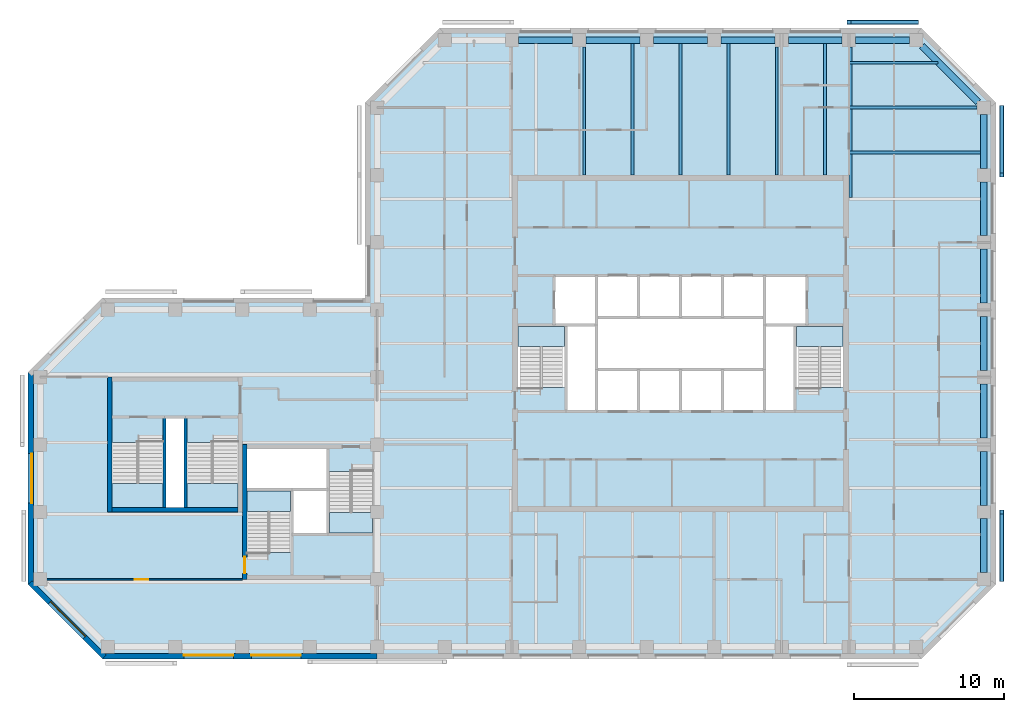
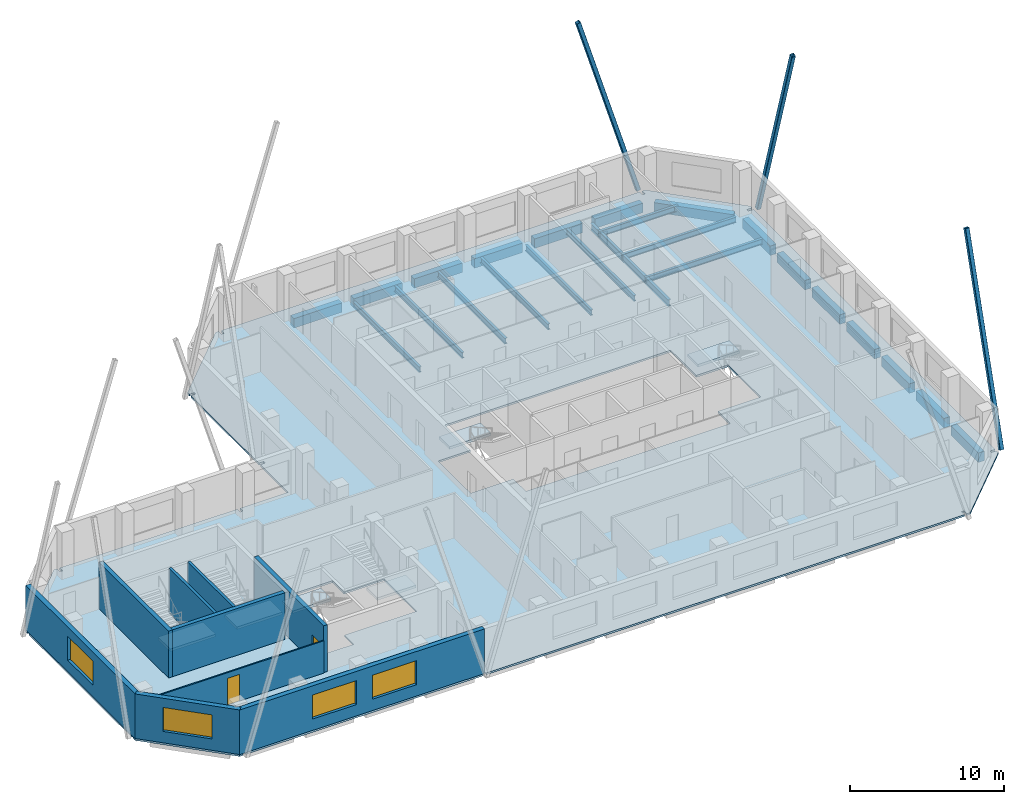
# One storey, part 2 of 9: 24 beams, 9 walls, 7 slabs, 4 windows, 3 members, 2 doors, 6 openings, 6 elements without a shape of their own.
"""IFC4 building model written with IfcOpenShell, lengths in metres."""

from ifc_helpers import new_model, si_unit, direction, frame, frame_2d, origin, origin_2d, place, context, subcontext, project, spatial, polyline, rectangle, hollow_rectangle, i_section, outline, extrude, material, layer, layer_set, constituent, constituent_set, material_profile, profile_set, type_object, element, fill, aggregate, save


model = new_model("IFC4")

# Units and contexts
model_context = context("Model", 3, precision=1e-05, world=origin(), true_north=direction((0.0, 1.0)))
body_context = subcontext(model_context, "Body", "Model", "MODEL_VIEW")
ifc_project = project(units=[si_unit("LENGTHUNIT", "METRE"), si_unit("AREAUNIT", "SQUARE_METRE"), si_unit("VOLUMEUNIT", "CUBIC_METRE"), si_unit("PLANEANGLEUNIT", "RADIAN"), si_unit("MASSUNIT", "GRAM", prefix="KILO")], contexts=[model_context])

# Site, building, storey
site_placement = place(None, origin())
site = spatial("IfcSite", under=ifc_project, at=site_placement, CompositionType="ELEMENT")
building_placement = place(site_placement, origin())
building = spatial("IfcBuilding", under=site, at=building_placement, Name="Quoin Convention Tower", CompositionType="ELEMENT")
storey_placement = place(building_placement, frame((0.0, 0.0, 219.300048828125)))
storey = spatial("IfcBuildingStorey", under=building, at=storey_placement, Name="L57", CompositionType="ELEMENT", Elevation=219.300048828125)

# Beams
ifc_material_1 = material(Name="Steel Grade 300", Category="steel")
ifc_material_profile_1 = material_profile(ifc_material_1, i_section(OverallWidth=0.18994140625, OverallDepth=0.4541015625, WebThickness=0.008544921875, FlangeThickness=0.0126953125, FilletRadius=0.011474609375, at=origin_2d()), Name="460UB67.1")
ifc_profile_set_1 = profile_set([ifc_material_profile_1], Name="Steel Grade 300")
beam_type_1 = type_object("IfcBeamType", Name="460UB67.1", PredefinedType="BEAM", material=ifc_profile_set_1)
beam_1_placement = place(storey_placement, frame((49.8212890625, 72.0, -0.376953125), z_axis=(0.0, 1.0, 0.0), x_axis=(-1.0, 0.0, 0.0)))
element("IfcBeam", 1, at=beam_1_placement, inside=storey, type_object=beam_type_1, Name="bm-L57-T1N1", PredefinedType="BEAM", context=body_context, shape_type="SweptSolid", body=[
    extrude(i_section(OverallWidth=0.18994140625, OverallDepth=0.4541015625, WebThickness=0.008544921875, FlangeThickness=0.0126953125, FilletRadius=0.011474609375, at=origin_2d()), origin(), (0.0, 0.0, 1.0), 8.550048828125),
])
for number, where, z_axis, x_axis, name in (
    (2, (53.03564453125, 72.0, -0.376953125), (0.0, 1.0, 0.0), (-1.0, 0.0, 0.0), "bm-L57-T1N2"),
    (3, (56.25, 72.0, -0.376953125), (0.0, 1.0, 0.0), (-1.0, 0.0, 0.0), "bm-L57-T1N3"),
    (4, (59.46435546875, 72.0, -0.376953125), (0.0, 1.0, 0.0), (-1.0, 0.0, 0.0), "bm-L57-T1N4"),
):
    element("IfcBeam", number, at=place(storey_placement, frame(where, z_axis=z_axis, x_axis=x_axis)), inside=storey, type_object=beam_type_1, Name=name, PredefinedType="BEAM", context=body_context, shape_type="SweptSolid", body=[
        extrude(i_section(OverallWidth=0.18994140625, OverallDepth=0.4541015625, WebThickness=0.008544921875, FlangeThickness=0.0126953125, FilletRadius=0.011474609375, at=origin_2d()), origin(), (0.0, 0.0, 1.0), 8.77490234375),
    ])
beam_2_placement = place(storey_placement, frame((62.6787109375, 72.0, -0.376953125), z_axis=(0.0, 1.0, 0.0), x_axis=(-1.0, 0.0, 0.0)))
element("IfcBeam", 5, at=beam_2_placement, inside=storey, type_object=beam_type_1, Name="bm-L57-T1N5", PredefinedType="BEAM", context=body_context, shape_type="SweptSolid", body=[
    extrude(i_section(OverallWidth=0.18994140625, OverallDepth=0.4541015625, WebThickness=0.008544921875, FlangeThickness=0.0126953125, FilletRadius=0.011474609375, at=origin_2d()), origin(), (0.0, 0.0, 1.0), 8.550048828125),
])
beam_3_placement = place(storey_placement, frame((65.892822265625, 72.0, -0.376953125), z_axis=(0.0, 1.0, 0.0), x_axis=(-1.0, 0.0, 0.0)))
element("IfcBeam", 6, at=beam_3_placement, inside=storey, type_object=beam_type_1, Name="bm-L57-T1N6", PredefinedType="BEAM", context=body_context, shape_type="SweptSolid", body=[
    extrude(i_section(OverallWidth=0.18994140625, OverallDepth=0.4541015625, WebThickness=0.008544921875, FlangeThickness=0.0126953125, FilletRadius=0.011474609375, at=origin_2d()), origin(), (0.0, 0.0, 1.0), 8.77490234375),
])
beam_4_placement = place(storey_placement, frame((67.5, 79.5, -0.376953125), z_axis=(1.0, 0.0, 0.0), x_axis=(0.0, 1.0, 0.0)))
element("IfcBeam", 7, at=beam_4_placement, inside=storey, type_object=beam_type_1, Name="bm-L57-T1NE0", PredefinedType="BEAM", context=body_context, shape_type="SweptSolid", body=[
    extrude(i_section(OverallWidth=0.18994140625, OverallDepth=0.4541015625, WebThickness=0.008544921875, FlangeThickness=0.0126953125, FilletRadius=0.011474609375, at=origin_2d()), origin(), (0.0, 0.0, 1.0), 5.935791015625),
])
beam_5_placement = place(storey_placement, frame((67.5, 76.5, -0.376953125), z_axis=(1.0, 0.0, 0.0), x_axis=(0.0, 1.0, 0.0)))
element("IfcBeam", 8, at=beam_5_placement, inside=storey, type_object=beam_type_1, Name="bm-L57-T1NE1", PredefinedType="BEAM", context=body_context, shape_type="SweptSolid", body=[
    extrude(i_section(OverallWidth=0.18994140625, OverallDepth=0.4541015625, WebThickness=0.008544921875, FlangeThickness=0.0126953125, FilletRadius=0.011474609375, at=origin_2d()), origin(), (0.0, 0.0, 1.0), 8.550048828125),
])
beam_6_placement = place(storey_placement, frame((67.5, 73.5, -0.376953125), z_axis=(1.0, 0.0, 0.0), x_axis=(0.0, 1.0, 0.0)))
element("IfcBeam", 9, at=beam_6_placement, inside=storey, type_object=beam_type_1, Name="bm-L57-T1NE2", PredefinedType="BEAM", context=body_context, shape_type="SweptSolid", body=[
    extrude(i_section(OverallWidth=0.18994140625, OverallDepth=0.4541015625, WebThickness=0.008544921875, FlangeThickness=0.0126953125, FilletRadius=0.011474609375, at=origin_2d()), origin(), (0.0, 0.0, 1.0), 8.77490234375),
])
ifc_material_profile_2 = material_profile(ifc_material_1, i_section(OverallWidth=0.208984375, OverallDepth=0.528076171875, WebThickness=0.009521484375, FlangeThickness=0.01318359375, FilletRadius=0.013916015625, at=origin_2d()), Name="530UB82.0")
ifc_profile_set_2 = profile_set([ifc_material_profile_2], Name="Steel Grade 300")
beam_type_2 = type_object("IfcBeamType", Name="530UB82.0", PredefinedType="BEAM", material=ifc_profile_set_2)
beam_7_placement = place(storey_placement, frame((67.595458984375, 80.550048828125, -0.4140625), z_axis=(0.0, -1.0, 0.0), x_axis=(1.0, 0.0, 0.0)))
element("IfcBeam", 10, at=beam_7_placement, inside=storey, type_object=beam_type_2, Name="gir-L57-T1NE", PredefinedType="BEAM", context=body_context, shape_type="SweptSolid", body=[
    extrude(i_section(OverallWidth=0.208984375, OverallDepth=0.528076171875, WebThickness=0.009521484375, FlangeThickness=0.01318359375, FilletRadius=0.013916015625, at=origin_2d()), origin(), (0.0, 0.0, 1.0), 10.062255859375),
])

# Members
ifc_material_2 = material(Name="Steel C450L0", Category="steel")
ifc_material_profile_3 = material_profile(ifc_material_2, hollow_rectangle(XDim=0.300048828125, YDim=0.300048828125, WallThickness=0.012451171875, InnerFilletRadius=0.018798828125, OuterFilletRadius=0.03125, at=origin_2d()), Name="300x300x12.5SHS")
ifc_profile_set_3 = profile_set([ifc_material_profile_3], Name="Steel C450L0")
member_type = type_object("IfcMemberType", Name="Exposed brace 300x300x12.5SHS", PredefinedType="BRACE", material=ifc_profile_set_3)
for number, where, z_axis, x_axis, name in (
    (11, (72.0, 82.199951171875, -0.074951171875), (-0.290907879885, 0.0, 0.956751067635), (0.0, -1.0, 0.0), "brc-L57-72000_81000-67500_81000"),
    (12, (77.699951171875, 45.0, -0.074951171875), (0.0, 0.290907879885, 0.956751067635), (-1.0, 0.0, 0.0), "brc-L57-76500_45000-76500_49500"),
    (13, (77.699951171875, 76.5, -0.074951171875), (0.0, -0.290907879885, 0.956751067635), (1.0, 0.0, 0.0), "brc-L57-76500_72000-76500_76500"),
):
    element("IfcMember", number, at=place(storey_placement, frame(where, z_axis=z_axis, x_axis=x_axis)), inside=storey, type_object=member_type, Name=name, PredefinedType="BRACE", context=body_context, shape_type="SweptSolid", body=[
        extrude(hollow_rectangle(XDim=0.300048828125, YDim=0.300048828125, WallThickness=0.012451171875, InnerFilletRadius=0.018798828125, OuterFilletRadius=0.03125, at=origin_2d()), origin(), (0.0, 0.0, 1.0), 15.46875),
    ])

# Beams
ifc_material_3 = material(Name="Concrete C50", Category="concrete")
ifc_material_profile_4 = material_profile(ifc_material_3, rectangle(XDim=0.449951171875, YDim=0.75, at=origin_2d()), Name="RC 450x750")
ifc_profile_set_4 = profile_set([ifc_material_profile_4], Name="Concrete C50")
beam_type_3 = type_object("IfcBeamType", Name="RC 450x750 C50", PredefinedType="SPANDREL", material=ifc_profile_set_4)
for number, where, z_axis, x_axis, name in (
    (14, (76.5, 45.449951171875, -0.525146484375), (0.0, 1.0, 0.0), (-1.0, 0.0, 0.0), "spd-L57-76500_45000-76500_49500"),
    (15, (76.5, 49.949951171875, -0.525146484375), (0.0, 1.0, 0.0), (-1.0, 0.0, 0.0), "spd-L57-76500_49500-76500_54000"),
    (16, (76.5, 54.449951171875, -0.525146484375), (0.0, 1.0, 0.0), (-1.0, 0.0, 0.0), "spd-L57-76500_54000-76500_58500"),
    (17, (76.5, 58.949951171875, -0.525146484375), (0.0, 1.0, 0.0), (-1.0, 0.0, 0.0), "spd-L57-76500_58500-76500_63000"),
    (18, (76.5, 63.449951171875, -0.525146484375), (0.0, 1.0, 0.0), (-1.0, 0.0, 0.0), "spd-L57-76500_63000-76500_67500"),
    (19, (76.5, 67.949951171875, -0.525146484375), (0.0, 1.0, 0.0), (-1.0, 0.0, 0.0), "spd-L57-76500_67500-76500_72000"),
    (20, (76.5, 72.449951171875, -0.525146484375), (0.0, 1.0, 0.0), (-1.0, 0.0, 0.0), "spd-L57-76500_72000-76500_76500"),
):
    element("IfcBeam", number, at=place(storey_placement, frame(where, z_axis=z_axis, x_axis=x_axis)), inside=storey, type_object=beam_type_3, Name=name, PredefinedType="SPANDREL", context=body_context, shape_type="SweptSolid", body=[
        extrude(rectangle(XDim=0.449951171875, YDim=0.75, at=origin_2d()), origin(), (0.0, 0.0, 1.0), 3.60009765625),
    ])
beam_8_placement = place(storey_placement, frame((76.135009765625, 76.864990234375, -0.525146484375), z_axis=(-0.707106781187, 0.707106781187, 0.0), x_axis=(-0.707106781187, -0.707106781187, 0.0)))
element("IfcBeam", 21, at=beam_8_placement, inside=storey, type_object=beam_type_3, Name="spd-L57-76500_76500-72000_81000", PredefinedType="SPANDREL", context=body_context, shape_type="SweptSolid", body=[
    extrude(rectangle(XDim=0.449951171875, YDim=0.75, at=origin_2d()), origin(), (0.0, 0.0, 1.0), 5.33154296875),
])
for number, where, z_axis, x_axis, name in (
    (22, (71.550048828125, 81.0, -0.525146484375), (-1.0, 0.0, 0.0), (0.0, -1.0, 0.0), "spd-L57-72000_81000-67500_81000"),
    (23, (67.050048828125, 81.0, -0.525146484375), (-1.0, 0.0, 0.0), (0.0, -1.0, 0.0), "spd-L57-67500_81000-63000_81000"),
    (24, (62.550048828125, 81.0, -0.525146484375), (-1.0, 0.0, 0.0), (0.0, -1.0, 0.0), "spd-L57-63000_81000-58500_81000"),
    (25, (58.050048828125, 81.0, -0.525146484375), (-1.0, 0.0, 0.0), (0.0, -1.0, 0.0), "spd-L57-58500_81000-54000_81000"),
    (26, (53.550048828125, 81.0, -0.525146484375), (-1.0, 0.0, 0.0), (0.0, -1.0, 0.0), "spd-L57-54000_81000-49500_81000"),
    (27, (49.050048828125, 81.0, -0.525146484375), (-1.0, 0.0, 0.0), (0.0, -1.0, 0.0), "spd-L57-49500_81000-45000_81000"),
):
    element("IfcBeam", number, at=place(storey_placement, frame(where, z_axis=z_axis, x_axis=x_axis)), inside=storey, type_object=beam_type_3, Name=name, PredefinedType="SPANDREL", context=body_context, shape_type="SweptSolid", body=[
        extrude(rectangle(XDim=0.449951171875, YDim=0.75, at=origin_2d()), origin(), (0.0, 0.0, 1.0), 3.60009765625),
    ])

# Slab
ifc_material_4 = material(Name="Concrete C40", Category="concrete")
ifc_layer_1 = layer(ifc_material_4, 0.14990234375)
ifc_layer_set_1 = layer_set([ifc_layer_1], Name="Concrete C40")
slab_type_1 = type_object("IfcSlabType", Name="COMPOSITE SLAB 150 C40", PredefinedType="FLOOR", material=ifc_layer_set_1)
slab_1_placement = place(storey_placement, frame((0.0, 0.0, -0.150146484375)))
element("IfcSlab", 28, at=slab_1_placement, inside=storey, type_object=slab_type_1, Name="slb-L57", PredefinedType="FLOOR", context=body_context, shape_type="SweptSolid", body=[
    extrude(outline(polyline([(12.699951171875, 44.668701171875), (12.699951171875, 44.905029296875), (13.070068359375, 44.905029296875), (13.070068359375, 45.094970703125), (12.699951171875, 45.094970703125), (12.699951171875, 58.405029296875), (13.070068359375, 58.405029296875), (13.070068359375, 58.594970703125), (12.699951171875, 58.594970703125), (12.699951171875, 58.831298828125), (17.668701171875, 63.800048828125), (17.905029296875, 63.800048828125), (17.905029296875, 63.429931640625), (18.094970703125, 63.429931640625), (18.094970703125, 63.800048828125), (31.405029296875, 63.800048828125), (31.405029296875, 63.429931640625), (31.594970703125, 63.429931640625), (31.594970703125, 63.800048828125), (35.199951171875, 63.800048828125), (35.199951171875, 67.405029296875), (35.570068359375, 67.405029296875), (35.570068359375, 67.594970703125), (35.199951171875, 67.594970703125), (35.199951171875, 76.405029296875), (35.570068359375, 76.405029296875), (35.570068359375, 76.594970703125), (35.199951171875, 76.594970703125), (35.199951171875, 76.831298828125), (40.168701171875, 81.800048828125), (40.405029296875, 81.800048828125), (40.405029296875, 81.429931640625), (40.594970703125, 81.429931640625), (40.594970703125, 81.800048828125), (71.905029296875, 81.800048828125), (71.905029296875, 81.429931640625), (72.094970703125, 81.429931640625), (72.094970703125, 81.800048828125), (72.331298828125, 81.800048828125), (77.300048828125, 76.831298828125), (77.300048828125, 76.594970703125), (76.929931640625, 76.594970703125), (76.929931640625, 76.405029296875), (77.300048828125, 76.405029296875), (77.300048828125, 45.094970703125), (76.929931640625, 45.094970703125), (76.929931640625, 44.905029296875), (77.300048828125, 44.905029296875), (77.300048828125, 44.668701171875), (72.331298828125, 39.699951171875), (72.094970703125, 39.699951171875), (72.094970703125, 40.070068359375), (71.905029296875, 40.070068359375), (71.905029296875, 39.699951171875), (36.094970703125, 39.699951171875), (36.094970703125, 40.070068359375), (35.905029296875, 40.070068359375), (35.905029296875, 39.699951171875), (18.094970703125, 39.699951171875), (18.094970703125, 40.070068359375), (17.905029296875, 40.070068359375), (17.905029296875, 39.699951171875), (17.668701171875, 39.699951171875), (12.699951171875, 44.668701171875)]), holes=[polyline([(27.300048828125, 46.800537109375), (30.300048828125, 46.800537109375), (30.300048828125, 48.0), (32.699951171875, 48.0), (35.699951171875, 48.0), (35.699951171875, 52.199462890625), (32.699951171875, 52.199462890625), (32.699951171875, 53.699951171875), (27.300048828125, 53.699951171875), (27.300048828125, 51.0), (27.300048828125, 46.800537109375)]), polyline([(21.800048828125, 49.800048828125), (23.199951171875, 49.800048828125), (26.699951171875, 49.800048828125), (26.699951171875, 54.1494140625), (23.199951171875, 54.1494140625), (23.199951171875, 55.85009765625), (21.800048828125, 55.85009765625), (21.800048828125, 54.1494140625), (18.300048828125, 54.1494140625), (18.300048828125, 49.800048828125), (21.800048828125, 49.800048828125)]), polyline([(50.64990234375, 56.199951171875), (53.449951171875, 56.199951171875), (56.25, 56.199951171875), (59.050048828125, 56.199951171875), (61.85009765625, 56.199951171875), (63.89990234375, 56.199951171875), (63.89990234375, 57.800537109375), (67.10009765625, 57.800537109375), (67.10009765625, 62.0), (64.699951171875, 62.0), (64.699951171875, 65.300048828125), (61.85009765625, 65.300048828125), (59.050048828125, 65.300048828125), (56.25, 65.300048828125), (53.449951171875, 65.300048828125), (50.64990234375, 65.300048828125), (47.800048828125, 65.300048828125), (47.800048828125, 62.0), (45.39990234375, 62.0), (45.39990234375, 57.800537109375), (48.60009765625, 57.800537109375), (48.60009765625, 56.199951171875), (50.64990234375, 56.199951171875)])]), origin(), (0.0, 0.0, 1.0), 0.150146484375),
])

# Stair, slab
stair_type_1 = type_object("IfcStairType", Name="Exit stair two-flight 1350", PredefinedType="HALF_TURN_STAIR", material=ifc_material_4)
stair_1_placement = place(storey_placement, origin())
stair_1 = element("IfcStair", 29, at=stair_1_placement, inside=storey, type_object=stair_type_1, Name="SD1 L57", PredefinedType="HALF_TURN_STAIR")
ifc_layer_2 = layer(ifc_material_4, 0.199951171875)
ifc_layer_set_2 = layer_set([ifc_layer_2], Name="Concrete C40")
slab_type_2 = type_object("IfcSlabType", Name="Stair landing 200", PredefinedType="LANDING", material=ifc_layer_set_2)
slab_2_placement = place(storey_placement, frame((0.0, 0.0, 1.792236328125)))
slab_2 = element("IfcSlab", 30, at=slab_2_placement, type_object=slab_type_2, Name="ST1 landing 1", PredefinedType="LANDING", context=body_context, shape_type="SweptSolid", body=[
    extrude(outline(polyline([(45.39990234375, 60.550048828125), (48.5, 60.550048828125), (48.5, 61.89990234375), (45.39990234375, 61.89990234375), (45.39990234375, 60.550048828125)])), origin(), (0.0, 0.0, 1.0), 0.199951171875),
])
aggregate(stair_1, [slab_2])

stair_2_placement = place(storey_placement, origin())
stair_2 = element("IfcStair", 31, at=stair_2_placement, inside=storey, type_object=stair_type_1, Name="SD2 L57", PredefinedType="HALF_TURN_STAIR")
slab_3_placement = place(storey_placement, frame((0.0, 0.0, 1.792236328125)))
slab_3 = element("IfcSlab", 32, at=slab_3_placement, type_object=slab_type_2, Name="ST2 landing 1", PredefinedType="LANDING", context=body_context, shape_type="SweptSolid", body=[
    extrude(outline(polyline([(64.0, 60.550048828125), (67.10009765625, 60.550048828125), (67.10009765625, 61.89990234375), (64.0, 61.89990234375), (64.0, 60.550048828125)])), origin(), (0.0, 0.0, 1.0), 0.199951171875),
])
aggregate(stair_2, [slab_3])

stair_3_placement = place(storey_placement, origin())
stair_3 = element("IfcStair", 33, at=stair_3_placement, inside=storey, type_object=stair_type_1, Name="SD3 L57", PredefinedType="HALF_TURN_STAIR")
slab_4_placement = place(storey_placement, frame((0.0, 0.0, 1.792236328125)))
slab_4 = element("IfcSlab", 34, at=slab_4_placement, type_object=slab_type_2, Name="ST3 landing 1", PredefinedType="LANDING", context=body_context, shape_type="SweptSolid", body=[
    extrude(outline(polyline([(27.300048828125, 49.550048828125), (30.199951171875, 49.550048828125), (30.199951171875, 50.89990234375), (27.300048828125, 50.89990234375), (27.300048828125, 49.550048828125)])), origin(), (0.0, 0.0, 1.0), 0.199951171875),
])
aggregate(stair_3, [slab_4])

stair_4_placement = place(storey_placement, origin())
stair_4 = element("IfcStair", 35, at=stair_4_placement, inside=storey, type_object=stair_type_1, Name="SD4 L57", PredefinedType="HALF_TURN_STAIR")
slab_5_placement = place(storey_placement, frame((0.0, 0.0, 1.792236328125)))
slab_5 = element("IfcSlab", 36, at=slab_5_placement, type_object=slab_type_2, Name="ST4 landing 1", PredefinedType="LANDING", context=body_context, shape_type="SweptSolid", body=[
    extrude(outline(polyline([(35.699951171875, 49.449951171875), (32.800048828125, 49.449951171875), (32.800048828125, 48.10009765625), (35.699951171875, 48.10009765625), (35.699951171875, 49.449951171875)])), origin(), (0.0, 0.0, 1.0), 0.199951171875),
])
aggregate(stair_4, [slab_5])

stair_type_2 = type_object("IfcStairType", Name="Exit stair two-flight 1600", PredefinedType="HALF_TURN_STAIR", material=ifc_material_4)
stair_5_placement = place(storey_placement, origin())
stair_5 = element("IfcStair", 37, at=stair_5_placement, inside=storey, type_object=stair_type_2, Name="SD11 L57", PredefinedType="HALF_TURN_STAIR")
slab_6_placement = place(storey_placement, frame((0.0, 0.0, 1.792236328125)))
slab_6 = element("IfcSlab", 38, at=slab_6_placement, type_object=slab_type_2, Name="ST11 landing 1", PredefinedType="LANDING", context=body_context, shape_type="SweptSolid", body=[
    extrude(outline(polyline([(21.699951171875, 51.39990234375), (18.300048828125, 51.39990234375), (18.300048828125, 49.800048828125), (21.699951171875, 49.800048828125), (21.699951171875, 51.39990234375)])), origin(), (0.0, 0.0, 1.0), 0.199951171875),
])
aggregate(stair_5, [slab_6])

stair_6_placement = place(storey_placement, origin())
stair_6 = element("IfcStair", 39, at=stair_6_placement, inside=storey, type_object=stair_type_2, Name="SD12 L57", PredefinedType="HALF_TURN_STAIR")
slab_7_placement = place(storey_placement, frame((0.0, 0.0, 1.792236328125)))
slab_7 = element("IfcSlab", 40, at=slab_7_placement, type_object=slab_type_2, Name="ST12 landing 1", PredefinedType="LANDING", context=body_context, shape_type="SweptSolid", body=[
    extrude(outline(polyline([(26.699951171875, 51.39990234375), (23.300048828125, 51.39990234375), (23.300048828125, 49.800048828125), (26.699951171875, 49.800048828125), (26.699951171875, 51.39990234375)])), origin(), (0.0, 0.0, 1.0), 0.199951171875),
])
aggregate(stair_6, [slab_7])

# Wall, opening, window
ifc_material_5 = material(Name="Brick masonry", Category="masonry")
ifc_layer_3 = layer(ifc_material_5, 0.35009765625)
ifc_layer_set_3 = layer_set([ifc_layer_3], Name="Brick masonry")
wall_type_1 = type_object("IfcWallType", Name="Brick facade wall", PredefinedType="STANDARD", material=ifc_layer_set_3)
wall_1_placement = place(storey_placement, frame((12.875, 58.831298828125, 0.0), z_axis=(0.0, 0.0, 1.0), x_axis=(0.0, -1.0, 0.0)))
wall_1 = element("IfcWall", 41, at=wall_1_placement, inside=storey, type_object=wall_type_1, Name="fw-L57-13500_58500", PredefinedType="STANDARD", context=body_context, shape_type="SweptSolid", body=[
    extrude(rectangle(XDim=14.16259765625, YDim=0.35009765625, at=frame_2d((7.081298828125, 0.0))), origin(), (0.0, 0.0, 1.0), 3.52490234375),
])
opening_1_placement = place(wall_1_placement, frame((5.431396484375, 0.0, 0.89990234375)))
opening_1 = element("IfcOpeningElement", 42, at=opening_1_placement, cuts=wall_1, Name="Opening W-02", PredefinedType="OPENING", context=body_context, shape_type="SweptSolid", body=[
    extrude(rectangle(XDim=3.300048828125, YDim=1.89990234375, at=frame_2d((1.64990234375, 0.949951171875))), frame((0.0, 0.18505859375, 0.0), z_axis=(0.0, -1.0, 0.0), x_axis=(1.0, 0.0, 0.0)), (0.0, 0.0, 1.0), 0.3701171875),
])
ifc_material_6 = material(Name="Aluminium", Category="aluminium")
ifc_constituent_1 = constituent(ifc_material_6, Name="Frame")
ifc_material_7 = material(Name="Insulated glass", Category="glass")
ifc_constituent_2 = constituent(ifc_material_7, Name="Glazing")
ifc_constituent_set = constituent_set(constituents=[ifc_constituent_1, ifc_constituent_2], Name="Aluminium")
window_type = type_object("IfcWindowType", Name="Office window", PartitioningType="DOUBLE_PANEL_VERTICAL", PredefinedType="WINDOW", material=ifc_constituent_set)
window_1_placement = place(opening_1_placement, origin())
window_1 = element("IfcWindow", 43, at=window_1_placement, inside=storey, type_object=window_type, Name="win-L57-12875_51750", OverallHeight=1.89990234375, OverallWidth=3.300048828125, PartitioningType="SINGLE_PANEL", PredefinedType="WINDOW", context=body_context, shape_type="SweptSolid", body=[
    extrude(rectangle(XDim=3.300048828125, YDim=1.89990234375, at=frame_2d((1.64990234375, 0.949951171875))), frame((0.0, 0.0849609375, 0.0), z_axis=(0.0, -1.0, 0.0), x_axis=(1.0, 0.0, 0.0)), (0.0, 0.0, 1.0), 0.06005859375),
])
fill(opening_1, window_1)

wall_2_placement = place(storey_placement, frame((12.82373046875, 44.79248046875, 0.0), z_axis=(0.0, 0.0, 1.0), x_axis=(0.707106781187, -0.707106781187, 0.0)))
wall_2 = element("IfcWall", 44, at=wall_2_placement, inside=storey, type_object=wall_type_1, Name="fw-L57-13500_45000", PredefinedType="STANDARD", context=body_context, shape_type="SweptSolid", body=[
    extrude(rectangle(XDim=7.02685546875, YDim=0.35009765625, at=frame_2d((3.513427734375, 0.0))), origin(), (0.0, 0.0, 1.0), 3.52490234375),
])
opening_2_placement = place(wall_2_placement, frame((1.86328125, 0.0, 0.89990234375)))
opening_2 = element("IfcOpeningElement", 45, at=opening_2_placement, cuts=wall_2, Name="Opening W-02", PredefinedType="OPENING", context=body_context, shape_type="SweptSolid", body=[
    extrude(rectangle(XDim=3.300048828125, YDim=1.89990234375, at=frame_2d((1.64990234375, 0.949951171875))), frame((0.0, 0.18505859375, 0.0), z_axis=(0.0, -1.0, 0.0), x_axis=(1.0, 0.0, 0.0)), (0.0, 0.0, 1.0), 0.3701171875),
])
window_2_placement = place(opening_2_placement, origin())
window_2 = element("IfcWindow", 46, at=window_2_placement, inside=storey, type_object=window_type, Name="win-L57-15308_42308", OverallHeight=1.89990234375, OverallWidth=3.300048828125, PartitioningType="SINGLE_PANEL", PredefinedType="WINDOW", context=body_context, shape_type="SweptSolid", body=[
    extrude(rectangle(XDim=3.300048828125, YDim=1.89990234375, at=frame_2d((1.64990234375, 0.949951171875))), frame((0.0, 0.0849609375, 0.0), z_axis=(0.0, -1.0, 0.0), x_axis=(1.0, 0.0, 0.0)), (0.0, 0.0, 1.0), 0.06005859375),
])
fill(opening_2, window_2)

# Wall, openings, windows
wall_3_placement = place(storey_placement, frame((17.668701171875, 39.875, 0.0), z_axis=(0.0, 0.0, 1.0), x_axis=(1.0, 0.0, 0.0)))
wall_3 = element("IfcWall", 47, at=wall_3_placement, inside=storey, type_object=wall_type_1, Name="fw-L57-18000_40500", PredefinedType="STANDARD", context=body_context, shape_type="SweptSolid", body=[
    extrude(rectangle(XDim=18.331298828125, YDim=0.35009765625, at=frame_2d((9.16552734375, 0.0))), origin(), (0.0, 0.0, 1.0), 3.52490234375),
])
opening_3_placement = place(wall_3_placement, frame((5.431396484375, 0.0, 0.89990234375)))
opening_3 = element("IfcOpeningElement", 48, at=opening_3_placement, cuts=wall_3, Name="Opening W-02", PredefinedType="OPENING", context=body_context, shape_type="SweptSolid", body=[
    extrude(rectangle(XDim=3.300048828125, YDim=1.89990234375, at=frame_2d((1.64990234375, 0.949951171875))), frame((0.0, 0.18505859375, 0.0), z_axis=(0.0, -1.0, 0.0), x_axis=(1.0, 0.0, 0.0)), (0.0, 0.0, 1.0), 0.3701171875),
])
opening_4_placement = place(wall_3_placement, frame((9.931396484375, 0.0, 0.89990234375)))
opening_4 = element("IfcOpeningElement", 49, at=opening_4_placement, cuts=wall_3, Name="Opening W-02", PredefinedType="OPENING", context=body_context, shape_type="SweptSolid", body=[
    extrude(rectangle(XDim=3.300048828125, YDim=1.89990234375, at=frame_2d((1.64990234375, 0.949951171875))), frame((0.0, 0.18505859375, 0.0), z_axis=(0.0, -1.0, 0.0), x_axis=(1.0, 0.0, 0.0)), (0.0, 0.0, 1.0), 0.3701171875),
])
window_3_placement = place(opening_3_placement, origin())
window_3 = element("IfcWindow", 50, at=window_3_placement, inside=storey, type_object=window_type, Name="win-L57-24750_39875", OverallHeight=1.89990234375, OverallWidth=3.300048828125, PartitioningType="SINGLE_PANEL", PredefinedType="WINDOW", context=body_context, shape_type="SweptSolid", body=[
    extrude(rectangle(XDim=3.300048828125, YDim=1.89990234375, at=frame_2d((1.64990234375, 0.949951171875))), frame((0.0, 0.0849609375, 0.0), z_axis=(0.0, -1.0, 0.0), x_axis=(1.0, 0.0, 0.0)), (0.0, 0.0, 1.0), 0.06005859375),
])
fill(opening_3, window_3)
window_4_placement = place(opening_4_placement, origin())
window_4 = element("IfcWindow", 51, at=window_4_placement, inside=storey, type_object=window_type, Name="win-L57-29250_39875", OverallHeight=1.89990234375, OverallWidth=3.300048828125, PartitioningType="SINGLE_PANEL", PredefinedType="WINDOW", context=body_context, shape_type="SweptSolid", body=[
    extrude(rectangle(XDim=3.300048828125, YDim=1.89990234375, at=frame_2d((1.64990234375, 0.949951171875))), frame((0.0, 0.0849609375, 0.0), z_axis=(0.0, -1.0, 0.0), x_axis=(1.0, 0.0, 0.0)), (0.0, 0.0, 1.0), 0.06005859375),
])
fill(opening_4, window_4)

# Walls
ifc_layer_4 = layer(ifc_material_3, 0.199951171875)
ifc_layer_set_4 = layer_set([ifc_layer_4], Name="Concrete C50")
wall_type_2 = type_object("IfcWallType", Name="Core shaft wall", PredefinedType="SOLIDWALL", material=ifc_layer_set_4)
for number, where, z_axis, x_axis, name in (
    (52, (21.800048828125, 49.800048828125, 0.0), (0.0, 0.0, 1.0), (0.0, 1.0, 0.0), "cr-P6-L57-v3800_300"),
    (53, (23.199951171875, 49.800048828125, 0.0), (0.0, 0.0, 1.0), (0.0, 1.0, 0.0), "cr-P6-L57-v5200_300"),
):
    element("IfcWall", number, at=place(storey_placement, frame(where, z_axis=z_axis, x_axis=x_axis)), inside=storey, type_object=wall_type_2, Name=name, PredefinedType="SOLIDWALL", context=body_context, shape_type="SweptSolid", body=[
        extrude(rectangle(XDim=6.050048828125, YDim=0.199951171875, at=frame_2d((3.02490234375, 0.0))), origin(), (0.0, 0.0, 1.0), 3.550048828125),
    ])

# Wall, opening, door
ifc_layer_5 = layer(ifc_material_3, 0.300048828125)
ifc_layer_set_5 = layer_set([ifc_layer_5], Name="Concrete C50")
wall_type_3 = type_object("IfcWallType", Name="RC CORE WALL 300 C50", PredefinedType="SHEAR", material=ifc_layer_set_5)
wall_4_placement = place(storey_placement, frame((27.14990234375, 45.0, 0.0), z_axis=(0.0, 0.0, 1.0), x_axis=(0.0, 1.0, 0.0)))
wall_4 = element("IfcWall", 54, at=wall_4_placement, inside=storey, type_object=wall_type_3, Name="cwl-P2-L57-W", PredefinedType="SHEAR", context=body_context, shape_type="SweptSolid", body=[
    extrude(rectangle(XDim=9.0, YDim=0.300048828125, at=frame_2d((4.5, 0.0))), origin(), (0.0, 0.0, 1.0), 3.699951171875),
])
opening_5_placement = place(wall_4_placement, frame((0.39990234375, 0.0, 0.0)))
opening_5 = element("IfcOpeningElement", 55, at=opening_5_placement, cuts=wall_4, Name="Opening SD3", PredefinedType="OPENING", context=body_context, shape_type="SweptSolid", body=[
    extrude(rectangle(XDim=1.10009765625, YDim=2.10009765625, at=frame_2d((0.550048828125, 1.050048828125))), frame((0.0, 0.159912109375, 0.0), z_axis=(0.0, -1.0, 0.0), x_axis=(1.0, 0.0, 0.0)), (0.0, 0.0, 1.0), 0.320068359375),
])
ifc_material_8 = material(Name="Steel door leaf", Category="steel")
door_type_1 = type_object("IfcDoorType", Name="Stair door 1100 x 2100", OperationType="SINGLE_SWING_RIGHT", PredefinedType="DOOR", material=ifc_material_8)
door_1_placement = place(opening_5_placement, frame((1.10009765625, 0.0, 0.0), z_axis=(0.0, 0.0, 1.0), x_axis=(-1.0, 0.0, 0.0)))
door_1 = element("IfcDoor", 56, at=door_1_placement, inside=storey, type_object=door_type_1, Name="cd-P2-L57-SA-W", OperationType="SINGLE_SWING_RIGHT", OverallHeight=2.10009765625, OverallWidth=1.10009765625, PredefinedType="DOOR", context=body_context, shape_type="SweptSolid", body=[
    extrude(rectangle(XDim=1.10009765625, YDim=2.10009765625, at=frame_2d((0.550048828125, 1.050048828125))), frame((0.0, 0.02490234375, 0.0), z_axis=(0.0, -1.0, 0.0), x_axis=(1.0, 0.0, 0.0)), (0.0, 0.0, 1.0), 0.050048828125),
])
fill(opening_5, door_1)

# Walls
wall_5_placement = place(storey_placement, frame((18.300048828125, 49.64990234375, 0.0), z_axis=(0.0, 0.0, 1.0), x_axis=(1.0, 0.0, 0.0)))
element("IfcWall", 57, at=wall_5_placement, inside=storey, type_object=wall_type_3, Name="cwl-P6-L57-S", PredefinedType="SHEAR", context=body_context, shape_type="SweptSolid", body=[
    extrude(rectangle(XDim=8.39990234375, YDim=0.300048828125, at=frame_2d((4.199951171875, 0.0))), origin(), (0.0, 0.0, 1.0), 3.699951171875),
])
wall_6_placement = place(storey_placement, frame((18.14990234375, 49.5, 0.0), z_axis=(0.0, 0.0, 1.0), x_axis=(0.0, 1.0, 0.0)))
element("IfcWall", 58, at=wall_6_placement, inside=storey, type_object=wall_type_3, Name="cwl-P6-L57-W", PredefinedType="SHEAR", context=body_context, shape_type="SweptSolid", body=[
    extrude(rectangle(XDim=9.0, YDim=0.300048828125, at=frame_2d((4.5, 0.0))), origin(), (0.0, 0.0, 1.0), 3.699951171875),
])

# Wall, opening, door
ifc_material_9 = material(Name="Plasterboard")
ifc_layer_6 = layer(ifc_material_9, 0.012451171875, Name="Finish")
ifc_material_10 = material(Name="Steel stud framing", Category="steel")
ifc_layer_7 = layer(ifc_material_10, 0.074951171875, Name="Structure")
ifc_layer_8 = layer(ifc_material_9, 0.012451171875, Name="Finish")
ifc_layer_set_6 = layer_set([ifc_layer_6, ifc_layer_7, ifc_layer_8], Name="Steel stud framing")
wall_type_4 = type_object("IfcWallType", Name="Stud partition 100 under beam 1000", PredefinedType="PARTITIONING", material=ifc_layer_set_6)
wall_7_placement = place(storey_placement, frame((13.5, 45.0, 0.0), z_axis=(0.0, 0.0, 1.0), x_axis=(1.0, 0.0, 0.0)))
wall_7 = element("IfcWall", 59, at=wall_7_placement, inside=storey, type_object=wall_type_4, Name="pw-L57-w05", PredefinedType="PARTITIONING", context=body_context, shape_type="SweptSolid", body=[
    extrude(rectangle(XDim=13.5, YDim=0.10009765625, at=frame_2d((6.75, 0.0))), origin(), (0.0, 0.0, 1.0), 2.550048828125),
])
opening_6_placement = place(wall_7_placement, frame((6.300048828125, 0.0, 0.0)))
opening_6 = element("IfcOpeningElement", 60, at=opening_6_placement, cuts=wall_7, Name="Opening DOH9-25", PredefinedType="OPENING", context=body_context, shape_type="SweptSolid", body=[
    extrude(rectangle(XDim=0.89990234375, YDim=2.10009765625, at=frame_2d((0.449951171875, 1.050048828125))), frame((0.0, 0.06005859375, 0.0), z_axis=(0.0, -1.0, 0.0), x_axis=(1.0, 0.0, 0.0)), (0.0, 0.0, 1.0), 0.1201171875),
])
door_type_2 = type_object("IfcDoorType", Name="Office door 900 x 2100", OperationType="SINGLE_SWING_RIGHT", PredefinedType="DOOR", material=ifc_material_8)
door_2_placement = place(opening_6_placement, origin())
door_2 = element("IfcDoor", 61, at=door_2_placement, inside=storey, type_object=door_type_2, Name="dr-L57-w05", OperationType="SINGLE_SWING_RIGHT", OverallHeight=2.10009765625, OverallWidth=0.89990234375, PredefinedType="DOOR", context=body_context, shape_type="SweptSolid", body=[
    extrude(rectangle(XDim=0.89990234375, YDim=2.10009765625, at=frame_2d((0.449951171875, 1.050048828125))), frame((0.0, 0.02490234375, 0.0), z_axis=(0.0, -1.0, 0.0), x_axis=(1.0, 0.0, 0.0)), (0.0, 0.0, 1.0), 0.050048828125),
])
fill(opening_6, door_2)

save(model, "model.ifc")
